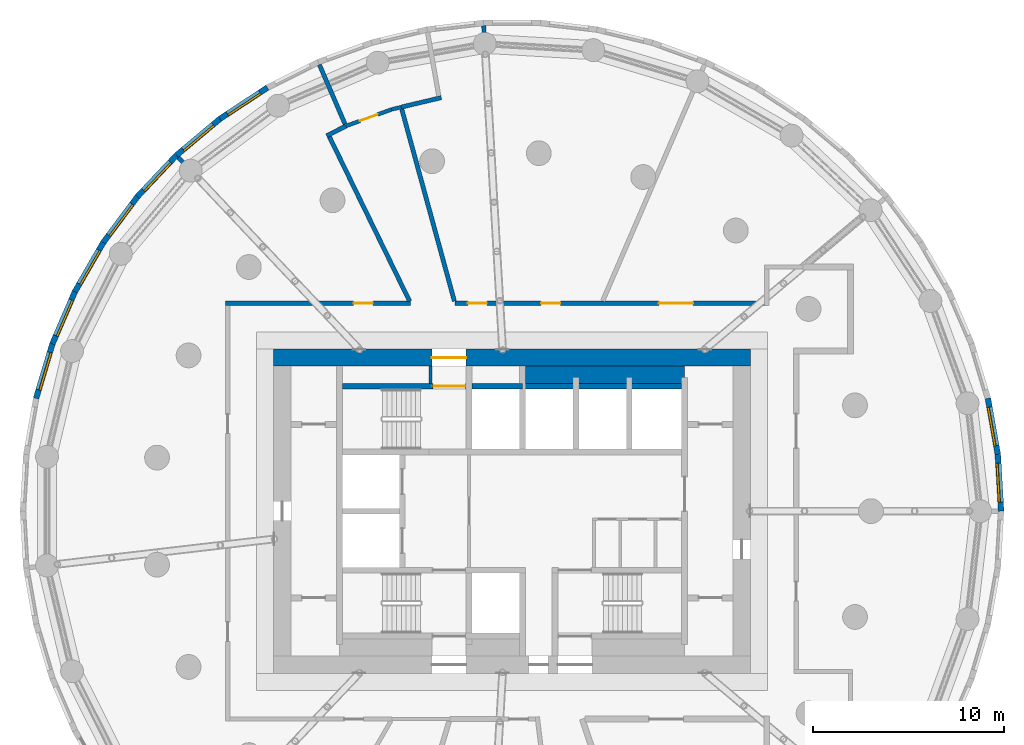
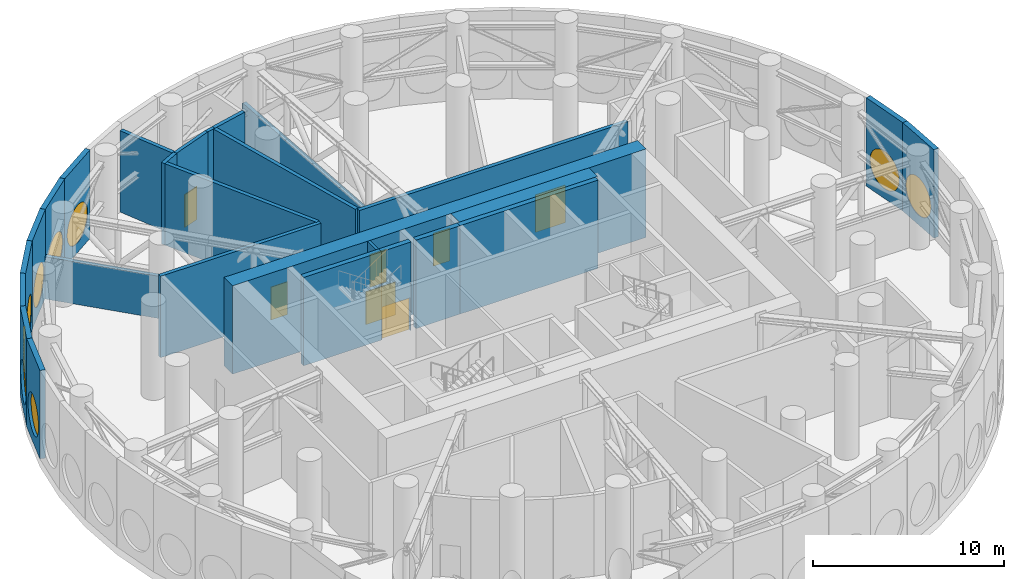
# One storey, part 11 of 15: 27 walls, 9 windows, 7 doors, 16 openings.
"""IFC4 building model written with IfcOpenShell, lengths in metres."""

from ifc_helpers import new_model, si_unit, direction, frame, frame_2d, origin, origin_2d, place, context, subcontext, project, spatial, rectangle, circle, extrude, material, layer, layer_set, type_object, element, fill, save


model = new_model("IFC4")

# Units and contexts
model_context = context("Model", 3, precision=1e-05, world=origin(), true_north=direction((0.0, 1.0)))
body_context = subcontext(model_context, "Body", "Model", "MODEL_VIEW")
ifc_project = project(units=[si_unit("LENGTHUNIT", "METRE"), si_unit("AREAUNIT", "SQUARE_METRE"), si_unit("VOLUMEUNIT", "CUBIC_METRE"), si_unit("PLANEANGLEUNIT", "RADIAN"), si_unit("MASSUNIT", "GRAM", prefix="KILO")], contexts=[model_context])

# Site, building, storey
site_placement = place(None, origin())
site = spatial("IfcSite", under=ifc_project, at=site_placement, CompositionType="ELEMENT")
building_placement = place(site_placement, origin())
building = spatial("IfcBuilding", under=site, at=building_placement, Name="Tracery Tower", CompositionType="ELEMENT")
storey_placement = place(building_placement, frame((0.0, 0.0, 225.0)))
storey = spatial("IfcBuildingStorey", under=building, at=storey_placement, Name="L58 Plant", CompositionType="ELEMENT", Elevation=225.0)

# Walls
ifc_material_1 = material(Name="Plasterboard on steel studs", Category="steel")
ifc_layer_1 = layer(ifc_material_1, 0.14990234375)
ifc_layer_set_1 = layer_set([ifc_layer_1], Name="Core room partition 150")
wall_type_1 = type_object("IfcWallType", Name="Core room partition 150", PredefinedType="SOLIDWALL", material=ifc_layer_set_1)
wall_1_placement = place(storey_placement, frame((-4.27490234375, 6.699951171875, 0.0), z_axis=(0.0, 0.0, 1.0), x_axis=(0.0, 1.0, 0.0)))
element("IfcWall", 1, at=wall_1_placement, inside=storey, type_object=wall_type_1, Name="L58 Plant F N room", PredefinedType="SOLIDWALL", context=body_context, shape_type="SweptSolid", body=[
    extrude(rectangle(XDim=0.900146484375, YDim=0.14990234375, at=frame_2d((0.4501953125, 0.0))), origin(), (0.0, 0.0, 1.0), 5.64990234375),
])
ifc_material_2 = material(Name="Concrete C50/60", Category="concrete")
ifc_layer_2 = layer(ifc_material_2, 0.89990234375)
ifc_layer_set_2 = layer_set([ifc_layer_2], Name="Core strip wall 900 C50")
wall_type_2 = type_object("IfcWallType", Name="Core strip wall 900 C50", PredefinedType="SOLIDWALL", material=ifc_layer_set_2)
wall_2_placement = place(storey_placement, frame((0.699951171875, 7.14990234375, 0.0), z_axis=(0.0, 0.0, 1.0), x_axis=(1.0, 0.0, 0.0)))
element("IfcWall", 2, at=wall_2_placement, inside=storey, type_object=wall_type_2, Name="L58 Plant F thick N E", PredefinedType="SOLIDWALL", context=body_context, shape_type="SweptSolid", body=[
    extrude(rectangle(XDim=8.35009765625, YDim=0.89990234375, at=frame_2d((4.175048828125, 0.0))), origin(), (0.0, 0.0, 1.0), 5.64990234375),
])

# Wall, opening, door
ifc_material_3 = material(Name="Concrete C50/60", Category="concrete")
ifc_layer_3 = layer(ifc_material_3, 0.89990234375)
ifc_layer_set_3 = layer_set([ifc_layer_3], Name="Core wall 900 C50")
wall_type_3 = type_object("IfcWallType", Name="Core wall 900 C50", PredefinedType="SOLIDWALL", material=ifc_layer_set_3)
wall_3_placement = place(storey_placement, frame((-12.5, 8.050048828125, 0.0), z_axis=(0.0, 0.0, 1.0), x_axis=(1.0, 0.0, 0.0)))
wall_3 = element("IfcWall", 3, at=wall_3_placement, inside=storey, type_object=wall_type_3, Name="L58 Plant outer N", PredefinedType="SOLIDWALL", context=body_context, shape_type="SweptSolid", body=[
    extrude(rectangle(XDim=25.0, YDim=0.89990234375, at=frame_2d((12.5, 0.0))), origin(), (0.0, 0.0, 1.0), 5.64990234375),
])
opening_1_placement = place(wall_3_placement, frame((8.300048828125, 0.0, 0.0)))
opening_1 = element("IfcOpeningElement", 4, at=opening_1_placement, cuts=wall_3, Name="Opening KD13", PredefinedType="OPENING", context=body_context, shape_type="SweptSolid", body=[
    extrude(rectangle(XDim=1.800048828125, YDim=2.10009765625, at=frame_2d((0.89990234375, 1.050048828125))), frame((0.0, 0.449951171875, 0.0), z_axis=(0.0, -1.0, 0.0), x_axis=(1.0, 0.0, 0.0)), (0.0, 0.0, 1.0), 0.89990234375),
])
ifc_material_4 = material(Name="Steel fire door", Category="steel")
door_type_1 = type_object("IfcDoorType", Name="Core exit door 1800 double", OperationType="NOTDEFINED", PredefinedType="DOOR", material=ifc_material_4)
door_1_placement = place(opening_1_placement, origin())
door_1 = element("IfcDoor", 5, at=door_1_placement, inside=storey, type_object=door_type_1, Name="Core exit door", OperationType="DOUBLE_DOOR_SINGLE_SWING", OverallHeight=2.10009765625, OverallWidth=1.800048828125, PredefinedType="DOOR", context=body_context, shape_type="SweptSolid", body=[
    extrude(rectangle(XDim=1.800048828125, YDim=2.10009765625, at=frame_2d((0.89990234375, 1.050048828125))), frame((0.0, 0.02490234375, 0.0), z_axis=(0.0, -1.0, 0.0), x_axis=(1.0, 0.0, 0.0)), (0.0, 0.0, 1.0), 0.050048828125),
])
fill(opening_1, door_1)

ifc_material_5 = material(Name="Concrete blockwork", Category="masonry")
ifc_layer_4 = layer(ifc_material_5, 0.199951171875)
ifc_layer_set_4 = layer_set([ifc_layer_4], Name="Fire lobby wall 200")
wall_type_4 = type_object("IfcWallType", Name="Fire lobby wall 200", PredefinedType="PARTITIONING", material=ifc_layer_set_4)
wall_4_placement = place(storey_placement, frame((-8.710205078125, 20.192626953125, 0.0), z_axis=(0.0, 0.0, 1.0), x_axis=(0.939679089592, 0.342057317688, 0.0)))
wall_4 = element("IfcWall", 6, at=wall_4_placement, inside=storey, type_object=wall_type_4, Name="Fire lobby wall 200", PredefinedType="PARTITIONING", context=body_context, shape_type="SweptSolid", body=[
    extrude(rectangle(XDim=2.557373046875, YDim=0.199951171875, at=frame_2d((1.27880859375, 0.0))), origin(), (0.0, 0.0, 1.0), 5.199951171875),
])
opening_2_placement = place(wall_4_placement, frame((0.77880859375, 0.0, 0.0)))
opening_2 = element("IfcOpeningElement", 7, at=opening_2_placement, cuts=wall_4, Name="Opening SB-P58-07", PredefinedType="OPENING", context=body_context, shape_type="SweptSolid", body=[
    extrude(rectangle(XDim=1.0, YDim=2.10009765625, at=frame_2d((0.5, 1.050048828125))), frame((0.0, 0.10009765625, 0.0), z_axis=(0.0, -1.0, 0.0), x_axis=(1.0, 0.0, 0.0)), (0.0, 0.0, 1.0), 0.199951171875),
])
ifc_material_6 = material(Name="Steel fire door", Category="steel")
door_type_2 = type_object("IfcDoorType", Name="Fire lobby door 1000", OperationType="NOTDEFINED", PredefinedType="DOOR", material=ifc_material_6)
door_2_placement = place(opening_2_placement, origin())
door_2 = element("IfcDoor", 8, at=door_2_placement, inside=storey, type_object=door_type_2, Name="Fire lobby door 1000", OperationType="SINGLE_SWING_RIGHT", OverallHeight=2.10009765625, OverallWidth=1.0, PredefinedType="DOOR", context=body_context, shape_type="SweptSolid", body=[
    extrude(rectangle(XDim=1.0, YDim=2.10009765625, at=frame_2d((0.5, 1.050048828125))), frame((0.0, 0.02490234375, 0.0), z_axis=(0.0, -1.0, 0.0), x_axis=(1.0, 0.0, 0.0)), (0.0, 0.0, 1.0), 0.050048828125),
])
fill(opening_2, door_2)

# Wall
wall_5_placement = place(storey_placement, frame((-5.8095703125, 21.185302734375, 0.0), z_axis=(0.0, 0.0, 1.0), x_axis=(-0.973046464048, -0.230609147269, 0.0)))
element("IfcWall", 9, at=wall_5_placement, inside=storey, type_object=wall_type_4, Name="Fire lobby wall 200", PredefinedType="PARTITIONING", context=body_context, shape_type="SweptSolid", body=[
    extrude(rectangle(XDim=0.51123046875, YDim=0.199951171875, at=frame_2d((0.255615234375, 0.0))), origin(), (0.0, 0.0, 1.0), 5.199951171875),
])

# Wall, opening, window
ifc_material_7 = material(Name="Precast concrete C50/60", Category="concrete")
ifc_layer_5 = layer(ifc_material_7, 0.300048828125)
ifc_layer_set_5 = layer_set([ifc_layer_5], Name="Plant louvre panel 3000 x 5650")
wall_type_5 = type_object("IfcWallType", Name="Plant louvre panel 3000 x 5650", PredefinedType="SOLIDWALL", material=ifc_layer_set_5)
wall_6_placement = place(storey_placement, frame((25.6474609375, 0.0, 0.0), z_axis=(0.0, 0.0, 1.0), x_axis=(-0.058117409476, 0.998309754894, 0.0)))
wall_6 = element("IfcWall", 10, at=wall_6_placement, inside=storey, type_object=wall_type_5, Name="Plant louvre panel 1 at L58 Plant", PredefinedType="SOLIDWALL", context=body_context, shape_type="SweptSolid", body=[
    extrude(rectangle(XDim=2.982666015625, YDim=0.300048828125, at=frame_2d((1.4912109375, 0.0))), origin(), (0.0, 0.0, 1.0), 5.64990234375),
])
opening_3_placement = place(wall_6_placement, frame((1.4912109375, 0.0, 1.824951171875)))
opening_3 = element("IfcOpeningElement", 11, at=opening_3_placement, cuts=wall_6, Name="Opening LV2", PredefinedType="OPENING", context=body_context, shape_type="SweptSolid", body=[
    extrude(circle(Radius=1.199951171875, at=origin_2d()), frame((0.0, 0.159912109375, 0.0), z_axis=(0.0, -1.0, 0.0), x_axis=(1.0, 0.0, 0.0)), (0.0, 0.0, 1.0), 0.320068359375),
])
ifc_material_8 = material(Name="Aluminium louvre, bronze anodised", Category="aluminium")
window_type = type_object("IfcWindowType", Name="Louvred oculus 2400, sill 625", PartitioningType="SINGLE_PANEL", PredefinedType="WINDOW", material=ifc_material_8)
window_1_placement = place(opening_3_placement, origin())
window_1 = element("IfcWindow", 12, at=window_1_placement, inside=storey, type_object=window_type, Name="Louvred oculus 1 at L58 Plant", OverallHeight=2.39990234375, OverallWidth=2.39990234375, PartitioningType="SINGLE_PANEL", PredefinedType="WINDOW", context=body_context, shape_type="SweptSolid", body=[
    extrude(circle(Radius=1.199951171875, at=origin_2d()), frame((0.0, 0.1201171875, 0.0), z_axis=(0.0, -1.0, 0.0), x_axis=(1.0, 0.0, 0.0)), (0.0, 0.0, 1.0), 0.10009765625),
])
fill(opening_3, window_1)

wall_7_placement = place(storey_placement, frame((25.47412109375, 2.9775390625, 0.0), z_axis=(0.0, 0.0, 1.0), x_axis=(-0.17369661102, 0.984799211677, 0.0)))
wall_7 = element("IfcWall", 13, at=wall_7_placement, inside=storey, type_object=wall_type_5, Name="Plant louvre panel 2 at L58 Plant", PredefinedType="SOLIDWALL", context=body_context, shape_type="SweptSolid", body=[
    extrude(rectangle(XDim=2.982666015625, YDim=0.300048828125, at=frame_2d((1.4912109375, 0.0))), origin(), (0.0, 0.0, 1.0), 5.64990234375),
])
opening_4_placement = place(wall_7_placement, frame((1.4912109375, 0.0, 1.824951171875)))
opening_4 = element("IfcOpeningElement", 14, at=opening_4_placement, cuts=wall_7, Name="Opening LV2", PredefinedType="OPENING", context=body_context, shape_type="SweptSolid", body=[
    extrude(circle(Radius=1.199951171875, at=origin_2d()), frame((0.0, 0.159912109375, 0.0), z_axis=(0.0, -1.0, 0.0), x_axis=(1.0, 0.0, 0.0)), (0.0, 0.0, 1.0), 0.320068359375),
])
window_2_placement = place(opening_4_placement, origin())
window_2 = element("IfcWindow", 15, at=window_2_placement, inside=storey, type_object=window_type, Name="Louvred oculus 2 at L58 Plant", OverallHeight=2.39990234375, OverallWidth=2.39990234375, PartitioningType="SINGLE_PANEL", PredefinedType="WINDOW", context=body_context, shape_type="SweptSolid", body=[
    extrude(circle(Radius=1.199951171875, at=origin_2d()), frame((0.0, 0.1201171875, 0.0), z_axis=(0.0, -1.0, 0.0), x_axis=(1.0, 0.0, 0.0)), (0.0, 0.0, 1.0), 0.10009765625),
])
fill(opening_4, window_2)

wall_8_placement = place(storey_placement, frame((-12.82373046875, 22.21142578125, 0.0), z_axis=(0.0, 0.0, 1.0), x_axis=(-0.835497187922, -0.549494721517, 0.0)))
wall_8 = element("IfcWall", 16, at=wall_8_placement, inside=storey, type_object=wall_type_5, Name="Plant louvre panel 19 at L58 Plant", PredefinedType="SOLIDWALL", context=body_context, shape_type="SweptSolid", body=[
    extrude(rectangle(XDim=2.982666015625, YDim=0.300048828125, at=frame_2d((1.4912109375, 0.0))), origin(), (0.0, 0.0, 1.0), 5.64990234375),
])
opening_5_placement = place(wall_8_placement, frame((1.4912109375, 0.0, 1.824951171875)))
opening_5 = element("IfcOpeningElement", 17, at=opening_5_placement, cuts=wall_8, Name="Opening LV2", PredefinedType="OPENING", context=body_context, shape_type="SweptSolid", body=[
    extrude(circle(Radius=1.199951171875, at=origin_2d()), frame((0.0, 0.159912109375, 0.0), z_axis=(0.0, -1.0, 0.0), x_axis=(1.0, 0.0, 0.0)), (0.0, 0.0, 1.0), 0.320068359375),
])
window_3_placement = place(opening_5_placement, origin())
window_3 = element("IfcWindow", 18, at=window_3_placement, inside=storey, type_object=window_type, Name="Louvred oculus 19 at L58 Plant", OverallHeight=2.39990234375, OverallWidth=2.39990234375, PartitioningType="SINGLE_PANEL", PredefinedType="WINDOW", context=body_context, shape_type="SweptSolid", body=[
    extrude(circle(Radius=1.199951171875, at=origin_2d()), frame((0.0, 0.1201171875, 0.0), z_axis=(0.0, -1.0, 0.0), x_axis=(1.0, 0.0, 0.0)), (0.0, 0.0, 1.0), 0.10009765625),
])
fill(opening_5, window_3)

wall_9_placement = place(storey_placement, frame((-15.315673828125, 20.572509765625, 0.0), z_axis=(0.0, 0.0, 1.0), x_axis=(-0.766015999952, -0.64282150541, 0.0)))
wall_9 = element("IfcWall", 19, at=wall_9_placement, inside=storey, type_object=wall_type_5, Name="Plant louvre panel 20 at L58 Plant", PredefinedType="SOLIDWALL", context=body_context, shape_type="SweptSolid", body=[
    extrude(rectangle(XDim=2.982421875, YDim=0.300048828125, at=frame_2d((1.4912109375, 0.0))), origin(), (0.0, 0.0, 1.0), 5.64990234375),
])
opening_6_placement = place(wall_9_placement, frame((1.4912109375, 0.0, 1.824951171875)))
opening_6 = element("IfcOpeningElement", 20, at=opening_6_placement, cuts=wall_9, Name="Opening LV2", PredefinedType="OPENING", context=body_context, shape_type="SweptSolid", body=[
    extrude(circle(Radius=1.199951171875, at=origin_2d()), frame((0.0, 0.159912109375, 0.0), z_axis=(0.0, -1.0, 0.0), x_axis=(1.0, 0.0, 0.0)), (0.0, 0.0, 1.0), 0.320068359375),
])
window_4_placement = place(opening_6_placement, origin())
window_4 = element("IfcWindow", 21, at=window_4_placement, inside=storey, type_object=window_type, Name="Louvred oculus 20 at L58 Plant", OverallHeight=2.39990234375, OverallWidth=2.39990234375, PartitioningType="SINGLE_PANEL", PredefinedType="WINDOW", context=body_context, shape_type="SweptSolid", body=[
    extrude(circle(Radius=1.199951171875, at=origin_2d()), frame((0.0, 0.1201171875, 0.0), z_axis=(0.0, -1.0, 0.0), x_axis=(1.0, 0.0, 0.0)), (0.0, 0.0, 1.0), 0.10009765625),
])
fill(opening_6, window_4)

wall_10_placement = place(storey_placement, frame((-17.600341796875, 18.6552734375, 0.0), z_axis=(0.0, 0.0, 1.0), x_axis=(-0.686219609698, -0.72739442345, 0.0)))
wall_10 = element("IfcWall", 22, at=wall_10_placement, inside=storey, type_object=wall_type_5, Name="Plant louvre panel 21 at L58 Plant", PredefinedType="SOLIDWALL", context=body_context, shape_type="SweptSolid", body=[
    extrude(rectangle(XDim=2.982421875, YDim=0.300048828125, at=frame_2d((1.4912109375, 0.0))), origin(), (0.0, 0.0, 1.0), 5.64990234375),
])
opening_7_placement = place(wall_10_placement, frame((1.4912109375, 0.0, 1.824951171875)))
opening_7 = element("IfcOpeningElement", 23, at=opening_7_placement, cuts=wall_10, Name="Opening LV2", PredefinedType="OPENING", context=body_context, shape_type="SweptSolid", body=[
    extrude(circle(Radius=1.199951171875, at=origin_2d()), frame((0.0, 0.159912109375, 0.0), z_axis=(0.0, -1.0, 0.0), x_axis=(1.0, 0.0, 0.0)), (0.0, 0.0, 1.0), 0.320068359375),
])
window_5_placement = place(opening_7_placement, origin())
window_5 = element("IfcWindow", 24, at=window_5_placement, inside=storey, type_object=window_type, Name="Louvred oculus 21 at L58 Plant", OverallHeight=2.39990234375, OverallWidth=2.39990234375, PartitioningType="SINGLE_PANEL", PredefinedType="WINDOW", context=body_context, shape_type="SweptSolid", body=[
    extrude(circle(Radius=1.199951171875, at=origin_2d()), frame((0.0, 0.1201171875, 0.0), z_axis=(0.0, -1.0, 0.0), x_axis=(1.0, 0.0, 0.0)), (0.0, 0.0, 1.0), 0.10009765625),
])
fill(opening_7, window_5)

wall_11_placement = place(storey_placement, frame((-19.64697265625, 16.48583984375, 0.0), z_axis=(0.0, 0.0, 1.0), x_axis=(-0.597206768034, -0.802087324557, 0.0)))
wall_11 = element("IfcWall", 25, at=wall_11_placement, inside=storey, type_object=wall_type_5, Name="Plant louvre panel 22 at L58 Plant", PredefinedType="SOLIDWALL", context=body_context, shape_type="SweptSolid", body=[
    extrude(rectangle(XDim=2.982666015625, YDim=0.300048828125, at=frame_2d((1.4912109375, 0.0))), origin(), (0.0, 0.0, 1.0), 5.64990234375),
])
opening_8_placement = place(wall_11_placement, frame((1.4912109375, 0.0, 1.824951171875)))
opening_8 = element("IfcOpeningElement", 26, at=opening_8_placement, cuts=wall_11, Name="Opening LV2", PredefinedType="OPENING", context=body_context, shape_type="SweptSolid", body=[
    extrude(circle(Radius=1.199951171875, at=origin_2d()), frame((0.0, 0.159912109375, 0.0), z_axis=(0.0, -1.0, 0.0), x_axis=(1.0, 0.0, 0.0)), (0.0, 0.0, 1.0), 0.320068359375),
])
window_6_placement = place(opening_8_placement, origin())
window_6 = element("IfcWindow", 27, at=window_6_placement, inside=storey, type_object=window_type, Name="Louvred oculus 22 at L58 Plant", OverallHeight=2.39990234375, OverallWidth=2.39990234375, PartitioningType="SINGLE_PANEL", PredefinedType="WINDOW", context=body_context, shape_type="SweptSolid", body=[
    extrude(circle(Radius=1.199951171875, at=origin_2d()), frame((0.0, 0.1201171875, 0.0), z_axis=(0.0, -1.0, 0.0), x_axis=(1.0, 0.0, 0.0)), (0.0, 0.0, 1.0), 0.10009765625),
])
fill(opening_8, window_6)

wall_12_placement = place(storey_placement, frame((-21.42822265625, 14.093505859375, 0.0), z_axis=(0.0, 0.0, 1.0), x_axis=(-0.499977539641, -0.866038370891, 0.0)))
wall_12 = element("IfcWall", 28, at=wall_12_placement, inside=storey, type_object=wall_type_5, Name="Plant louvre panel 23 at L58 Plant", PredefinedType="SOLIDWALL", context=body_context, shape_type="SweptSolid", body=[
    extrude(rectangle(XDim=2.982666015625, YDim=0.300048828125, at=frame_2d((1.4912109375, 0.0))), origin(), (0.0, 0.0, 1.0), 5.64990234375),
])
opening_9_placement = place(wall_12_placement, frame((1.4912109375, 0.0, 1.824951171875)))
opening_9 = element("IfcOpeningElement", 29, at=opening_9_placement, cuts=wall_12, Name="Opening LV2", PredefinedType="OPENING", context=body_context, shape_type="SweptSolid", body=[
    extrude(circle(Radius=1.199951171875, at=origin_2d()), frame((0.0, 0.159912109375, 0.0), z_axis=(0.0, -1.0, 0.0), x_axis=(1.0, 0.0, 0.0)), (0.0, 0.0, 1.0), 0.320068359375),
])
window_7_placement = place(opening_9_placement, origin())
window_7 = element("IfcWindow", 30, at=window_7_placement, inside=storey, type_object=window_type, Name="Louvred oculus 23 at L58 Plant", OverallHeight=2.39990234375, OverallWidth=2.39990234375, PartitioningType="SINGLE_PANEL", PredefinedType="WINDOW", context=body_context, shape_type="SweptSolid", body=[
    extrude(circle(Radius=1.199951171875, at=origin_2d()), frame((0.0, 0.1201171875, 0.0), z_axis=(0.0, -1.0, 0.0), x_axis=(1.0, 0.0, 0.0)), (0.0, 0.0, 1.0), 0.10009765625),
])
fill(opening_9, window_7)

wall_13_placement = place(storey_placement, frame((-22.91943359375, 11.510498046875, 0.0), z_axis=(0.0, 0.0, 1.0), x_axis=(-0.396111410027, -0.918202456349, 0.0)))
wall_13 = element("IfcWall", 31, at=wall_13_placement, inside=storey, type_object=wall_type_5, Name="Plant louvre panel 24 at L58 Plant", PredefinedType="SOLIDWALL", context=body_context, shape_type="SweptSolid", body=[
    extrude(rectangle(XDim=2.982421875, YDim=0.300048828125, at=frame_2d((1.4912109375, 0.0))), origin(), (0.0, 0.0, 1.0), 5.64990234375),
])
opening_10_placement = place(wall_13_placement, frame((1.4912109375, 0.0, 1.824951171875)))
opening_10 = element("IfcOpeningElement", 32, at=opening_10_placement, cuts=wall_13, Name="Opening LV2", PredefinedType="OPENING", context=body_context, shape_type="SweptSolid", body=[
    extrude(circle(Radius=1.199951171875, at=origin_2d()), frame((0.0, 0.159912109375, 0.0), z_axis=(0.0, -1.0, 0.0), x_axis=(1.0, 0.0, 0.0)), (0.0, 0.0, 1.0), 0.320068359375),
])
window_8_placement = place(opening_10_placement, origin())
window_8 = element("IfcWindow", 33, at=window_8_placement, inside=storey, type_object=window_type, Name="Louvred oculus 24 at L58 Plant", OverallHeight=2.39990234375, OverallWidth=2.39990234375, PartitioningType="SINGLE_PANEL", PredefinedType="WINDOW", context=body_context, shape_type="SweptSolid", body=[
    extrude(circle(Radius=1.199951171875, at=origin_2d()), frame((0.0, 0.1201171875, 0.0), z_axis=(0.0, -1.0, 0.0), x_axis=(1.0, 0.0, 0.0)), (0.0, 0.0, 1.0), 0.10009765625),
])
fill(opening_10, window_8)

wall_14_placement = place(storey_placement, frame((-24.100830078125, 8.77197265625, 0.0), z_axis=(0.0, 0.0, 1.0), x_axis=(-0.286754535355, -0.958004089998, 0.0)))
wall_14 = element("IfcWall", 34, at=wall_14_placement, inside=storey, type_object=wall_type_5, Name="Plant louvre panel 25 at L58 Plant", PredefinedType="SOLIDWALL", context=body_context, shape_type="SweptSolid", body=[
    extrude(rectangle(XDim=2.982421875, YDim=0.300048828125, at=frame_2d((1.4912109375, 0.0))), origin(), (0.0, 0.0, 1.0), 5.64990234375),
])
opening_11_placement = place(wall_14_placement, frame((1.4912109375, 0.0, 1.824951171875)))
opening_11 = element("IfcOpeningElement", 35, at=opening_11_placement, cuts=wall_14, Name="Opening LV2", PredefinedType="OPENING", context=body_context, shape_type="SweptSolid", body=[
    extrude(circle(Radius=1.199951171875, at=origin_2d()), frame((0.0, 0.159912109375, 0.0), z_axis=(0.0, -1.0, 0.0), x_axis=(1.0, 0.0, 0.0)), (0.0, 0.0, 1.0), 0.320068359375),
])
window_9_placement = place(opening_11_placement, origin())
window_9 = element("IfcWindow", 36, at=window_9_placement, inside=storey, type_object=window_type, Name="Louvred oculus 25 at L58 Plant", OverallHeight=2.39990234375, OverallWidth=2.39990234375, PartitioningType="SINGLE_PANEL", PredefinedType="WINDOW", context=body_context, shape_type="SweptSolid", body=[
    extrude(circle(Radius=1.199951171875, at=origin_2d()), frame((0.0, 0.1201171875, 0.0), z_axis=(0.0, -1.0, 0.0), x_axis=(1.0, 0.0, 0.0)), (0.0, 0.0, 1.0), 0.10009765625),
])
fill(opening_11, window_9)

# Walls
ifc_material_9 = material(Name="Concrete blockwork", Category="masonry")
ifc_layer_6 = layer(ifc_material_9, 0.22509765625)
ifc_layer_set_6 = layer_set([ifc_layer_6], Name="Plant room block wall 225")
wall_type_6 = type_object("IfcWallType", Name="Plant room block wall 225", PredefinedType="PARTITIONING", material=ifc_layer_set_6)
wall_15_placement = place(storey_placement, frame((-10.098876953125, 23.411865234375, 0.0), z_axis=(0.0, 0.0, 1.0), x_axis=(0.396080406485, -0.918215830619, 0.0)))
element("IfcWall", 37, at=wall_15_placement, inside=storey, type_object=wall_type_6, Name="Plant room block wall 225", PredefinedType="PARTITIONING", context=body_context, shape_type="SweptSolid", body=[
    extrude(rectangle(XDim=3.393310546875, YDim=0.22509765625, at=frame_2d((1.69677734375, 0.0))), origin(), (0.0, 0.0, 1.0), 5.199951171875),
])
wall_16_placement = place(storey_placement, frame((-9.5751953125, 19.632568359375, 0.0), z_axis=(0.0, 0.0, 1.0), x_axis=(0.438353415496, -0.898802694212, 0.0)))
element("IfcWall", 38, at=wall_16_placement, inside=storey, type_object=wall_type_6, Name="Plant room block wall 225", PredefinedType="PARTITIONING", context=body_context, shape_type="SweptSolid", body=[
    extrude(rectangle(XDim=9.590576171875, YDim=0.22509765625, at=frame_2d((4.79541015625, 0.0))), origin(), (0.0, 0.0, 1.0), 5.199951171875),
])
wall_17_placement = place(storey_placement, frame((-8.710205078125, 20.192626953125, 0.0), z_axis=(0.0, 0.0, 1.0), x_axis=(-0.893651754286, -0.448761119152, 0.0)))
element("IfcWall", 39, at=wall_17_placement, inside=storey, type_object=wall_type_6, Name="Plant room block wall 225", PredefinedType="PARTITIONING", context=body_context, shape_type="SweptSolid", body=[
    extrude(rectangle(XDim=1.135498046875, YDim=0.22509765625, at=frame_2d((0.56787109375, 0.0))), origin(), (0.0, 0.0, 1.0), 5.199951171875),
])
wall_18_placement = place(storey_placement, frame((-5.77978515625, 21.076904296875, 0.0), z_axis=(0.0, 0.0, 1.0), x_axis=(0.264447382595, -0.964400115014, 0.0)))
element("IfcWall", 40, at=wall_18_placement, inside=storey, type_object=wall_type_6, Name="Plant room block wall 225", PredefinedType="PARTITIONING", context=body_context, shape_type="SweptSolid", body=[
    extrude(rectangle(XDim=10.43603515625, YDim=0.22509765625, at=frame_2d((5.218017578125, 0.0))), origin(), (0.0, 0.0, 1.0), 5.199951171875),
])

# Wall, opening, door
wall_19_placement = place(storey_placement, frame((-5.316162109375, 10.89990234375, 0.0), z_axis=(0.0, 0.0, 1.0), x_axis=(-1.0, 0.0, 0.0)))
wall_19 = element("IfcWall", 41, at=wall_19_placement, inside=storey, type_object=wall_type_6, Name="Plant room block wall 225", PredefinedType="PARTITIONING", context=body_context, shape_type="SweptSolid", body=[
    extrude(rectangle(XDim=9.6962890625, YDim=0.22509765625, at=frame_2d((4.84814453125, 0.0))), origin(), (0.0, 0.0, 1.0), 5.199951171875),
])
opening_12_placement = place(wall_19_placement, frame((1.983642578125, 0.0, 0.0)))
opening_12 = element("IfcOpeningElement", 42, at=opening_12_placement, cuts=wall_19, Name="Opening SB-P58-10", PredefinedType="OPENING", context=body_context, shape_type="SweptSolid", body=[
    extrude(rectangle(XDim=1.0, YDim=2.10009765625, at=frame_2d((0.5, 1.050048828125))), frame((0.0, 0.112548828125, 0.0), z_axis=(0.0, -1.0, 0.0), x_axis=(1.0, 0.0, 0.0)), (0.0, 0.0, 1.0), 0.22509765625),
])
ifc_material_10 = material(Name="Steel fire door", Category="steel")
door_type_3 = type_object("IfcDoorType", Name="Plant room door 1000", OperationType="NOTDEFINED", PredefinedType="DOOR", material=ifc_material_10)
door_3_placement = place(opening_12_placement, origin())
door_3 = element("IfcDoor", 43, at=door_3_placement, inside=storey, type_object=door_type_3, Name="Plant room door 1000", OperationType="SINGLE_SWING_LEFT", OverallHeight=2.10009765625, OverallWidth=1.0, PredefinedType="DOOR", context=body_context, shape_type="SweptSolid", body=[
    extrude(rectangle(XDim=1.0, YDim=2.10009765625, at=frame_2d((0.5, 1.050048828125))), frame((0.0, 0.02490234375, 0.0), z_axis=(0.0, -1.0, 0.0), x_axis=(1.0, 0.0, 0.0)), (0.0, 0.0, 1.0), 0.050048828125),
])
fill(opening_12, door_3)

# Wall
wall_20_placement = place(storey_placement, frame((-3.709228515625, 21.68310546875, 0.0), z_axis=(0.0, 0.0, 1.0), x_axis=(-0.973043562326, -0.230621390629, 0.0)))
element("IfcWall", 44, at=wall_20_placement, inside=storey, type_object=wall_type_6, Name="Plant room block wall 225", PredefinedType="PARTITIONING", context=body_context, shape_type="SweptSolid", body=[
    extrude(rectangle(XDim=2.158447265625, YDim=0.22509765625, at=frame_2d((1.0791015625, 0.0))), origin(), (0.0, 0.0, 1.0), 5.199951171875),
])

# Wall, openings, doors
wall_21_placement = place(storey_placement, frame((13.239013671875, 10.89990234375, 0.0), z_axis=(0.0, 0.0, 1.0), x_axis=(-1.0, 0.0, 0.0)))
wall_21 = element("IfcWall", 45, at=wall_21_placement, inside=storey, type_object=wall_type_6, Name="Plant room block wall 225", PredefinedType="PARTITIONING", context=body_context, shape_type="SweptSolid", body=[
    extrude(rectangle(XDim=16.22802734375, YDim=0.22509765625, at=frame_2d((8.114013671875, 0.0))), origin(), (0.0, 0.0, 1.0), 5.199951171875),
])
opening_13_placement = place(wall_21_placement, frame((3.73828125, 0.0, 0.0)))
opening_13 = element("IfcOpeningElement", 46, at=opening_13_placement, cuts=wall_21, Name="Opening SB-P58-02", PredefinedType="OPENING", context=body_context, shape_type="SweptSolid", body=[
    extrude(rectangle(XDim=1.800048828125, YDim=2.39990234375, at=frame_2d((0.89990234375, 1.199951171875))), frame((0.0, 0.112548828125, 0.0), z_axis=(0.0, -1.0, 0.0), x_axis=(1.0, 0.0, 0.0)), (0.0, 0.0, 1.0), 0.22509765625),
])
opening_14_placement = place(wall_21_placement, frame((10.705810546875, 0.0, 0.0)))
opening_14 = element("IfcOpeningElement", 47, at=opening_14_placement, cuts=wall_21, Name="Opening SB-P58-03", PredefinedType="OPENING", context=body_context, shape_type="SweptSolid", body=[
    extrude(rectangle(XDim=1.0, YDim=2.10009765625, at=frame_2d((0.5, 1.050048828125))), frame((0.0, 0.112548828125, 0.0), z_axis=(0.0, -1.0, 0.0), x_axis=(1.0, 0.0, 0.0)), (0.0, 0.0, 1.0), 0.22509765625),
])
opening_15_placement = place(wall_21_placement, frame((14.551025390625, 0.0, 0.0)))
opening_15 = element("IfcOpeningElement", 48, at=opening_15_placement, cuts=wall_21, Name="Opening SB-P58-09", PredefinedType="OPENING", context=body_context, shape_type="SweptSolid", body=[
    extrude(rectangle(XDim=1.0, YDim=2.10009765625, at=frame_2d((0.5, 1.050048828125))), frame((0.0, 0.112548828125, 0.0), z_axis=(0.0, -1.0, 0.0), x_axis=(1.0, 0.0, 0.0)), (0.0, 0.0, 1.0), 0.22509765625),
])
door_4_placement = place(opening_14_placement, origin())
door_4 = element("IfcDoor", 49, at=door_4_placement, inside=storey, type_object=door_type_3, Name="Plant room door 1000", OperationType="SINGLE_SWING_LEFT", OverallHeight=2.10009765625, OverallWidth=1.0, PredefinedType="DOOR", context=body_context, shape_type="SweptSolid", body=[
    extrude(rectangle(XDim=1.0, YDim=2.10009765625, at=frame_2d((0.5, 1.050048828125))), frame((0.0, 0.02490234375, 0.0), z_axis=(0.0, -1.0, 0.0), x_axis=(1.0, 0.0, 0.0)), (0.0, 0.0, 1.0), 0.050048828125),
])
fill(opening_14, door_4)
door_5_placement = place(opening_15_placement, origin())
door_5 = element("IfcDoor", 50, at=door_5_placement, inside=storey, type_object=door_type_3, Name="Plant room door 1000", OperationType="SINGLE_SWING_LEFT", OverallHeight=2.10009765625, OverallWidth=1.0, PredefinedType="DOOR", context=body_context, shape_type="SweptSolid", body=[
    extrude(rectangle(XDim=1.0, YDim=2.10009765625, at=frame_2d((0.5, 1.050048828125))), frame((0.0, 0.02490234375, 0.0), z_axis=(0.0, -1.0, 0.0), x_axis=(1.0, 0.0, 0.0)), (0.0, 0.0, 1.0), 0.050048828125),
])
fill(opening_15, door_5)
ifc_material_11 = material(Name="Steel fire door", Category="steel")
door_type_4 = type_object("IfcDoorType", Name="Plant room double door 1800", OperationType="DOUBLE_DOOR_SINGLE_SWING", PredefinedType="DOOR", material=ifc_material_11)
door_6_placement = place(opening_13_placement, origin())
door_6 = element("IfcDoor", 51, at=door_6_placement, inside=storey, type_object=door_type_4, Name="Plant room double door 1800", OperationType="DOUBLE_DOOR_SINGLE_SWING", OverallHeight=2.39990234375, OverallWidth=1.800048828125, PredefinedType="DOOR", context=body_context, shape_type="SweptSolid", body=[
    extrude(rectangle(XDim=1.800048828125, YDim=2.39990234375, at=frame_2d((0.89990234375, 1.199951171875))), frame((0.0, 0.02490234375, 0.0), z_axis=(0.0, -1.0, 0.0), x_axis=(1.0, 0.0, 0.0)), (0.0, 0.0, 1.0), 0.050048828125),
])
fill(opening_13, door_6)

# Walls
ifc_material_12 = material(Name="Concrete blockwork", Category="masonry")
ifc_layer_7 = layer(ifc_material_12, 0.22509765625)
ifc_layer_set_7 = layer_set([ifc_layer_7], Name="Plant wall under outrigger truss 225")
wall_type_7 = type_object("IfcWallType", Name="Plant wall under outrigger truss 225", PredefinedType="PARTITIONING", material=ifc_layer_set_7)
wall_22_placement = place(storey_placement, frame((-17.497314453125, 18.5458984375, 0.0), z_axis=(0.0, 0.0, 1.0), x_axis=(0.686241478279, -0.727373792138, 0.0)))
element("IfcWall", 52, at=wall_22_placement, inside=storey, type_object=wall_type_7, Name="Plant wall under outrigger truss 225", PredefinedType="PARTITIONING", context=body_context, shape_type="SweptSolid", body=[
    extrude(rectangle(XDim=10.303955078125, YDim=0.22509765625, at=frame_2d((5.15185546875, 0.0))), origin(), (0.0, 0.0, 1.0), 2.699951171875),
])
wall_23_placement = place(storey_placement, frame((-1.482421875, 25.4541015625, 0.0), z_axis=(0.0, 0.0, 1.0), x_axis=(0.058137182414, -0.9983086036, 0.0)))
element("IfcWall", 53, at=wall_23_placement, inside=storey, type_object=wall_type_7, Name="Plant wall under outrigger truss 225", PredefinedType="PARTITIONING", context=body_context, shape_type="SweptSolid", body=[
    extrude(rectangle(XDim=14.462646484375, YDim=0.22509765625, at=frame_2d((7.2314453125, 0.0))), origin(), (0.0, 0.0, 1.0), 2.699951171875),
])
ifc_material_13 = material(Name="Concrete C50/60", Category="concrete")
ifc_layer_8 = layer(ifc_material_13, 0.300048828125)
ifc_layer_set_8 = layer_set([ifc_layer_8], Name="Stair wall 300 C50")
wall_type_8 = type_object("IfcWallType", Name="Stair wall 300 C50", PredefinedType="SOLIDWALL", material=ifc_layer_set_8)
wall_24_placement = place(storey_placement, frame((-8.89990234375, 6.550048828125, 0.0), z_axis=(0.0, 0.0, 1.0), x_axis=(1.0, 0.0, 0.0)))
element("IfcWall", 54, at=wall_24_placement, inside=storey, type_object=wall_type_8, Name="L58 Plant F N W", PredefinedType="SOLIDWALL", context=body_context, shape_type="SweptSolid", body=[
    extrude(rectangle(XDim=4.699951171875, YDim=0.300048828125, at=frame_2d((2.35009765625, 0.0))), origin(), (0.0, 0.0, 1.0), 5.64990234375),
])

# Wall, opening, door
wall_25_placement = place(storey_placement, frame((-4.199951171875, 6.550048828125, 0.0), z_axis=(0.0, 0.0, 1.0), x_axis=(1.0, 0.0, 0.0)))
wall_25 = element("IfcWall", 55, at=wall_25_placement, inside=storey, type_object=wall_type_8, Name="L58 Plant F stair N", PredefinedType="SOLIDWALL", context=body_context, shape_type="SweptSolid", body=[
    extrude(rectangle(XDim=1.800048828125, YDim=0.300048828125, at=frame_2d((0.89990234375, 0.0))), origin(), (0.0, 0.0, 1.0), 5.64990234375),
])
opening_16_placement = place(wall_25_placement, frame((0.050048828125, 0.0, 0.0)))
opening_16 = element("IfcOpeningElement", 56, at=opening_16_placement, cuts=wall_25, Name="Opening KD3", PredefinedType="OPENING", context=body_context, shape_type="SweptSolid", body=[
    extrude(rectangle(XDim=1.699951171875, YDim=2.10009765625, at=frame_2d((0.85009765625, 1.050048828125))), frame((0.0, 0.14990234375, 0.0), z_axis=(0.0, -1.0, 0.0), x_axis=(1.0, 0.0, 0.0)), (0.0, 0.0, 1.0), 0.300048828125),
])
ifc_material_14 = material(Name="Steel fire door", Category="steel")
door_type_5 = type_object("IfcDoorType", Name="Core stair door 1700 double", OperationType="NOTDEFINED", PredefinedType="DOOR", material=ifc_material_14)
door_7_placement = place(opening_16_placement, origin())
door_7 = element("IfcDoor", 57, at=door_7_placement, inside=storey, type_object=door_type_5, Name="Stair door vest", OperationType="DOUBLE_DOOR_SINGLE_SWING", OverallHeight=2.10009765625, OverallWidth=1.699951171875, PredefinedType="DOOR", context=body_context, shape_type="SweptSolid", body=[
    extrude(rectangle(XDim=1.699951171875, YDim=2.10009765625, at=frame_2d((0.85009765625, 1.050048828125))), frame((0.0, 0.02490234375, 0.0), z_axis=(0.0, -1.0, 0.0), x_axis=(1.0, 0.0, 0.0)), (0.0, 0.0, 1.0), 0.050048828125),
])
fill(opening_16, door_7)

# Walls
wall_26_placement = place(storey_placement, frame((-2.10009765625, 6.550048828125, 0.0), z_axis=(0.0, 0.0, 1.0), x_axis=(1.0, 0.0, 0.0)))
element("IfcWall", 58, at=wall_26_placement, inside=storey, type_object=wall_type_8, Name="L58 Plant F N E1", PredefinedType="SOLIDWALL", context=body_context, shape_type="SweptSolid", body=[
    extrude(rectangle(XDim=2.650146484375, YDim=0.300048828125, at=frame_2d((1.3251953125, 0.0))), origin(), (0.0, 0.0, 1.0), 5.64990234375),
])
wall_27_placement = place(storey_placement, frame((0.550048828125, 6.550048828125, 0.0), z_axis=(0.0, 0.0, 1.0), x_axis=(1.0, 0.0, 0.0)))
element("IfcWall", 59, at=wall_27_placement, inside=storey, type_object=wall_type_8, Name="L58 Plant F stair strip N E", PredefinedType="SOLIDWALL", context=body_context, shape_type="SweptSolid", body=[
    extrude(rectangle(XDim=8.349853515625, YDim=0.300048828125, at=frame_2d((4.1748046875, 0.0))), origin(), (0.0, 0.0, 1.0), 5.64990234375),
])

save(model, "model.ifc")
